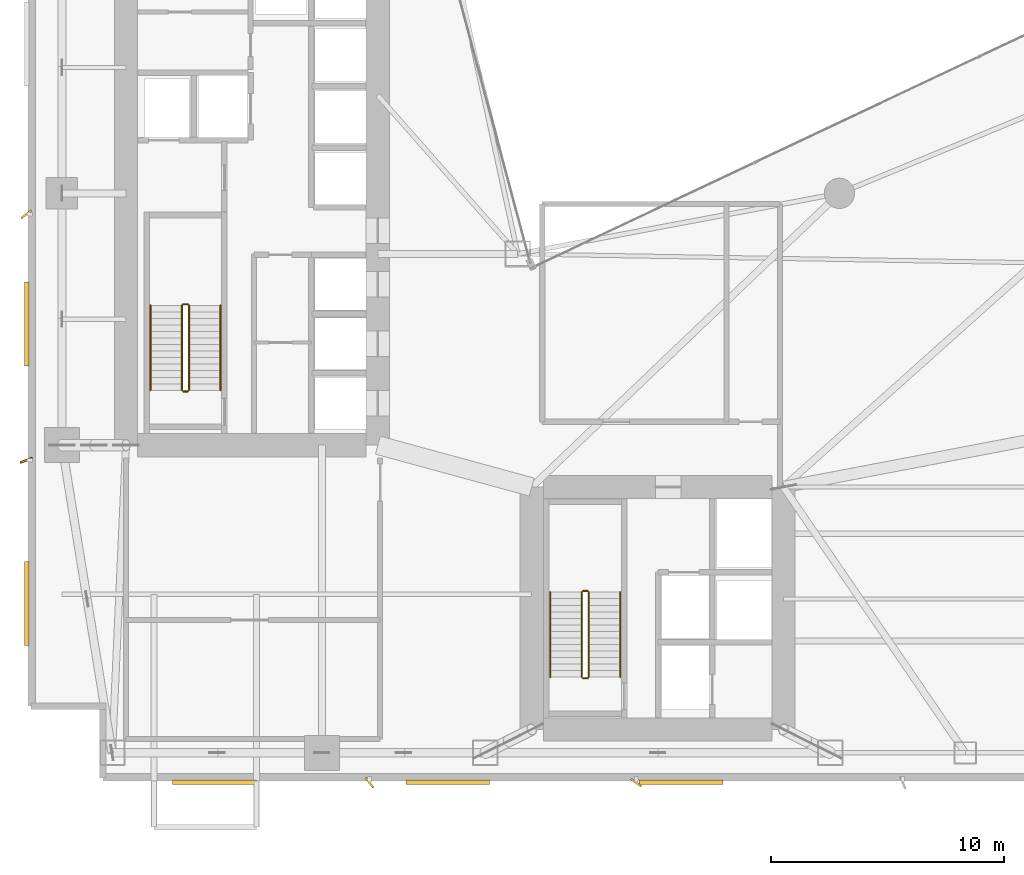
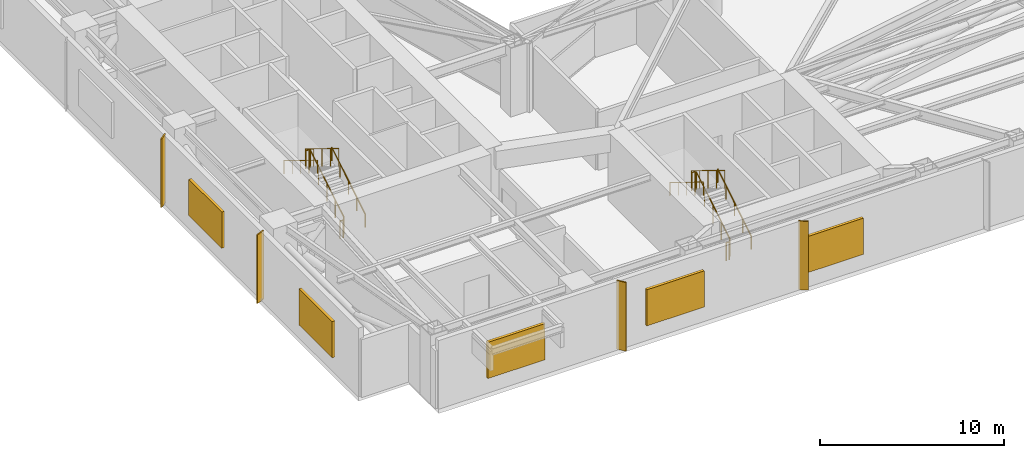
# One storey, part 17 of 18: 12 railings, 9 shading devices.
"""IFC4 building model written with IfcOpenShell, lengths in metres."""

from ifc_helpers import new_model, si_unit, direction, frame, origin, origin_2d, place, context, subcontext, project, spatial, rectangle, circle, extrude, material, type_object, element, save


model = new_model("IFC4")

# Units and contexts
model_context = context("Model", 3, precision=1e-05, world=origin(), true_north=direction((0.0, 1.0)))
body_context = subcontext(model_context, "Body", "Model", "MODEL_VIEW")
ifc_project = project(units=[si_unit("LENGTHUNIT", "METRE"), si_unit("AREAUNIT", "SQUARE_METRE"), si_unit("VOLUMEUNIT", "CUBIC_METRE"), si_unit("PLANEANGLEUNIT", "RADIAN"), si_unit("MASSUNIT", "GRAM", prefix="KILO")], contexts=[model_context])

# Site, building, storey
site_placement = place(None, origin())
site = spatial("IfcSite", under=ifc_project, at=site_placement, CompositionType="ELEMENT")
building_placement = place(site_placement, origin())
building = spatial("IfcBuilding", under=site, at=building_placement, Name="Calvorn Quay Hotel", CompositionType="ELEMENT")
storey_placement = place(building_placement, frame((0.0, 0.0, 46.0)))
storey = spatial("IfcBuildingStorey", under=building, at=storey_placement, Name="L10", CompositionType="ELEMENT", Elevation=46.0)

# Railings
ifc_material_1 = material(Name="Brushed Stainless Steel Handrail", Category="steel")
railing_type_1 = type_object("IfcRailingType", Name="RLG-HANDRAIL-900", PredefinedType="HANDRAIL", material=ifc_material_1)
railing_1_placement = place(storey_placement, frame((8.25, 19.14990234375, 0.17138671875)))
element("IfcRailing", 1, at=railing_1_placement, inside=storey, type_object=railing_type_1, Name="L10 ST-W stair handrail 1", PredefinedType="HANDRAIL", context=body_context, shape_type="SweptSolid", body=[
    extrude(circle(Radius=0.02392578125, at=origin_2d()), frame((0.0, 0.0, 0.8759765625), z_axis=(0.0, 0.852865859571, 0.52213008492), x_axis=(-1.0, 0.0, 0.0)), (0.0, 0.0, 1.0), 4.26806640625),
    extrude(circle(Radius=0.02099609375, at=origin_2d()), origin(), (0.0, 0.0, 1.0), 0.851806640625),
    extrude(circle(Radius=0.02099609375, at=origin_2d()), frame((0.0, 0.91015625, 0.55712890625)), (0.0, 0.0, 1.0), 0.851806640625),
    extrude(circle(Radius=0.02099609375, at=origin_2d()), frame((0.0, 1.820068359375, 1.1142578125)), (0.0, 0.0, 1.0), 0.851806640625),
    extrude(circle(Radius=0.02099609375, at=origin_2d()), frame((0.0, 2.72998046875, 1.67138671875)), (0.0, 0.0, 1.0), 0.851806640625),
    extrude(circle(Radius=0.02099609375, at=origin_2d()), frame((0.0, 3.64013671875, 2.228515625)), (0.0, 0.0, 1.0), 0.851806640625),
])
railing_2_placement = place(storey_placement, frame((5.25, 22.7900390625, 2.571533203125)))
element("IfcRailing", 2, at=railing_2_placement, inside=storey, type_object=railing_type_1, Name="L10 ST-W stair handrail 2", PredefinedType="HANDRAIL", context=body_context, shape_type="SweptSolid", body=[
    extrude(circle(Radius=0.02392578125, at=origin_2d()), frame((0.0, 0.0, 0.8759765625), z_axis=(0.0, -0.852865859571, 0.52213008492), x_axis=(1.0, 0.0, 0.0)), (0.0, 0.0, 1.0), 4.26806640625),
    extrude(circle(Radius=0.02099609375, at=origin_2d()), origin(), (0.0, 0.0, 1.0), 0.851806640625),
    extrude(circle(Radius=0.02099609375, at=origin_2d()), frame((0.0, -0.91015625, 0.55712890625)), (0.0, 0.0, 1.0), 0.851806640625),
    extrude(circle(Radius=0.02099609375, at=origin_2d()), frame((0.0, -1.820068359375, 1.1142578125)), (0.0, 0.0, 1.0), 0.851806640625),
    extrude(circle(Radius=0.02099609375, at=origin_2d()), frame((0.0, -2.72998046875, 1.67138671875)), (0.0, 0.0, 1.0), 0.851806640625),
    extrude(circle(Radius=0.02099609375, at=origin_2d()), frame((0.0, -3.64013671875, 2.228515625)), (0.0, 0.0, 1.0), 0.851806640625),
])
railing_3_placement = place(storey_placement, frame((25.39990234375, 6.85009765625, 0.17138671875)))
element("IfcRailing", 3, at=railing_3_placement, inside=storey, type_object=railing_type_1, Name="L10 ST-E stair handrail 1", PredefinedType="HANDRAIL", context=body_context, shape_type="SweptSolid", body=[
    extrude(circle(Radius=0.02392578125, at=origin_2d()), frame((0.0, 0.0, 0.8759765625), z_axis=(0.0, 0.852850264322, 0.5221555579), x_axis=(-1.0, 0.0, 0.0)), (0.0, 0.0, 1.0), 4.267822265625),
    extrude(circle(Radius=0.02099609375, at=origin_2d()), origin(), (0.0, 0.0, 1.0), 0.851806640625),
    extrude(circle(Radius=0.02099609375, at=origin_2d()), frame((0.0, 0.909912109375, 0.55712890625)), (0.0, 0.0, 1.0), 0.851806640625),
    extrude(circle(Radius=0.02099609375, at=origin_2d()), frame((0.0, 1.81982421875, 1.1142578125)), (0.0, 0.0, 1.0), 0.851806640625),
    extrude(circle(Radius=0.02099609375, at=origin_2d()), frame((0.0, 2.72998046875, 1.67138671875)), (0.0, 0.0, 1.0), 0.851806640625),
    extrude(circle(Radius=0.02099609375, at=origin_2d()), frame((0.0, 3.639892578125, 2.228515625)), (0.0, 0.0, 1.0), 0.851806640625),
])
railing_4_placement = place(storey_placement, frame((22.39990234375, 10.489990234375, 2.571533203125)))
element("IfcRailing", 4, at=railing_4_placement, inside=storey, type_object=railing_type_1, Name="L10 ST-E stair handrail 2", PredefinedType="HANDRAIL", context=body_context, shape_type="SweptSolid", body=[
    extrude(circle(Radius=0.02392578125, at=origin_2d()), frame((0.0, 0.0, 0.8759765625), z_axis=(0.0, -0.852850264322, 0.5221555579), x_axis=(1.0, 0.0, 0.0)), (0.0, 0.0, 1.0), 4.267822265625),
    extrude(circle(Radius=0.02099609375, at=origin_2d()), origin(), (0.0, 0.0, 1.0), 0.851806640625),
    extrude(circle(Radius=0.02099609375, at=origin_2d()), frame((0.0, -0.909912109375, 0.55712890625)), (0.0, 0.0, 1.0), 0.851806640625),
    extrude(circle(Radius=0.02099609375, at=origin_2d()), frame((0.0, -1.81982421875, 1.1142578125)), (0.0, 0.0, 1.0), 0.851806640625),
    extrude(circle(Radius=0.02099609375, at=origin_2d()), frame((0.0, -2.72998046875, 1.67138671875)), (0.0, 0.0, 1.0), 0.851806640625),
    extrude(circle(Radius=0.02099609375, at=origin_2d()), frame((0.0, -3.639892578125, 2.228515625)), (0.0, 0.0, 1.0), 0.851806640625),
])
ifc_material_2 = material(Name="Painted Galvanised Steel Balustrade", Category="steel")
railing_type_2 = type_object("IfcRailingType", Name="RLG-STAIR-GUARD-1120", PredefinedType="GUARDRAIL", material=ifc_material_2)
railing_5_placement = place(storey_placement, frame((6.89990234375, 19.14990234375, 0.17138671875)))
element("IfcRailing", 5, at=railing_5_placement, inside=storey, type_object=railing_type_2, Name="L10 ST-W stair guard 1", PredefinedType="GUARDRAIL", context=body_context, shape_type="SweptSolid", body=[
    extrude(circle(Radius=0.02392578125, at=origin_2d()), frame((0.0, 0.0, 1.17578125), z_axis=(0.0, 0.852865859571, 0.52213008492), x_axis=(-1.0, 0.0, 0.0)), (0.0, 0.0, 1.0), 4.26806640625),
    extrude(circle(Radius=0.02099609375, at=origin_2d()), origin(), (0.0, 0.0, 1.0), 1.15185546875),
    extrude(circle(Radius=0.02099609375, at=origin_2d()), frame((0.0, 0.91015625, 0.55712890625)), (0.0, 0.0, 1.0), 1.15185546875),
    extrude(circle(Radius=0.02099609375, at=origin_2d()), frame((0.0, 1.820068359375, 1.1142578125)), (0.0, 0.0, 1.0), 1.15185546875),
    extrude(circle(Radius=0.02099609375, at=origin_2d()), frame((0.0, 2.72998046875, 1.67138671875)), (0.0, 0.0, 1.0), 1.15185546875),
    extrude(circle(Radius=0.02099609375, at=origin_2d()), frame((0.0, 3.64013671875, 2.228515625)), (0.0, 0.0, 1.0), 1.15185546875),
])
railing_6_placement = place(storey_placement, frame((6.85009765625, 22.840087890625, 2.39990234375)))
element("IfcRailing", 6, at=railing_6_placement, inside=storey, type_object=railing_type_2, Name="L10 ST-W stair guard 2", PredefinedType="GUARDRAIL", context=body_context, shape_type="SweptSolid", body=[
    extrude(circle(Radius=0.02392578125, at=origin_2d()), frame((0.0, 0.0, 1.17578125), z_axis=(-1.0, 0.0, 0.0), x_axis=(0.0, -1.0, 0.0)), (0.0, 0.0, 1.0), 0.2001953125),
    extrude(circle(Radius=0.02099609375, at=origin_2d()), origin(), (0.0, 0.0, 1.0), 1.15185546875),
    extrude(circle(Radius=0.02099609375, at=origin_2d()), frame((-0.2001953125, 0.0, 0.0)), (0.0, 0.0, 1.0), 1.15185546875),
])
railing_7_placement = place(storey_placement, frame((6.60009765625, 22.7900390625, 2.571533203125)))
element("IfcRailing", 7, at=railing_7_placement, inside=storey, type_object=railing_type_2, Name="L10 ST-W stair guard 3", PredefinedType="GUARDRAIL", context=body_context, shape_type="SweptSolid", body=[
    extrude(circle(Radius=0.02392578125, at=origin_2d()), frame((0.0, 0.0, 1.17578125), z_axis=(0.0, -0.852865859571, 0.52213008492), x_axis=(1.0, 0.0, 0.0)), (0.0, 0.0, 1.0), 4.26806640625),
    extrude(circle(Radius=0.02099609375, at=origin_2d()), origin(), (0.0, 0.0, 1.0), 1.15185546875),
    extrude(circle(Radius=0.02099609375, at=origin_2d()), frame((0.0, -0.91015625, 0.55712890625)), (0.0, 0.0, 1.0), 1.15185546875),
    extrude(circle(Radius=0.02099609375, at=origin_2d()), frame((0.0, -1.820068359375, 1.1142578125)), (0.0, 0.0, 1.0), 1.15185546875),
    extrude(circle(Radius=0.02099609375, at=origin_2d()), frame((0.0, -2.72998046875, 1.67138671875)), (0.0, 0.0, 1.0), 1.15185546875),
    extrude(circle(Radius=0.02099609375, at=origin_2d()), frame((0.0, -3.64013671875, 2.228515625)), (0.0, 0.0, 1.0), 1.15185546875),
])
railing_8_placement = place(storey_placement, frame((6.85009765625, 19.10009765625, 0.0)))
element("IfcRailing", 8, at=railing_8_placement, inside=storey, type_object=railing_type_2, Name="L10 ST-W stair guard 4", PredefinedType="GUARDRAIL", context=body_context, shape_type="SweptSolid", body=[
    extrude(circle(Radius=0.02392578125, at=origin_2d()), frame((0.0, 0.0, 1.17578125), z_axis=(-1.0, 0.0, 0.0), x_axis=(0.0, -1.0, 0.0)), (0.0, 0.0, 1.0), 0.2001953125),
    extrude(circle(Radius=0.02099609375, at=origin_2d()), origin(), (0.0, 0.0, 1.0), 1.15185546875),
    extrude(circle(Radius=0.02099609375, at=origin_2d()), frame((-0.2001953125, 0.0, 0.0)), (0.0, 0.0, 1.0), 1.15185546875),
])
railing_9_placement = place(storey_placement, frame((24.050048828125, 6.85009765625, 0.17138671875)))
element("IfcRailing", 9, at=railing_9_placement, inside=storey, type_object=railing_type_2, Name="L10 ST-E stair guard 1", PredefinedType="GUARDRAIL", context=body_context, shape_type="SweptSolid", body=[
    extrude(circle(Radius=0.02392578125, at=origin_2d()), frame((0.0, 0.0, 1.17578125), z_axis=(0.0, 0.852850264322, 0.5221555579), x_axis=(-1.0, 0.0, 0.0)), (0.0, 0.0, 1.0), 4.267822265625),
    extrude(circle(Radius=0.02099609375, at=origin_2d()), origin(), (0.0, 0.0, 1.0), 1.15185546875),
    extrude(circle(Radius=0.02099609375, at=origin_2d()), frame((0.0, 0.909912109375, 0.55712890625)), (0.0, 0.0, 1.0), 1.15185546875),
    extrude(circle(Radius=0.02099609375, at=origin_2d()), frame((0.0, 1.81982421875, 1.1142578125)), (0.0, 0.0, 1.0), 1.15185546875),
    extrude(circle(Radius=0.02099609375, at=origin_2d()), frame((0.0, 2.72998046875, 1.67138671875)), (0.0, 0.0, 1.0), 1.15185546875),
    extrude(circle(Radius=0.02099609375, at=origin_2d()), frame((0.0, 3.639892578125, 2.228515625)), (0.0, 0.0, 1.0), 1.15185546875),
])
railing_10_placement = place(storey_placement, frame((24.0, 10.5400390625, 2.39990234375)))
element("IfcRailing", 10, at=railing_10_placement, inside=storey, type_object=railing_type_2, Name="L10 ST-E stair guard 2", PredefinedType="GUARDRAIL", context=body_context, shape_type="SweptSolid", body=[
    extrude(circle(Radius=0.02392578125, at=origin_2d()), frame((0.0, 0.0, 1.17578125), z_axis=(-1.0, 0.0, 0.0), x_axis=(0.0, -1.0, 0.0)), (0.0, 0.0, 1.0), 0.199951171875),
    extrude(circle(Radius=0.02099609375, at=origin_2d()), origin(), (0.0, 0.0, 1.0), 1.15185546875),
    extrude(circle(Radius=0.02099609375, at=origin_2d()), frame((-0.199951171875, 0.0, 0.0)), (0.0, 0.0, 1.0), 1.15185546875),
])
railing_11_placement = place(storey_placement, frame((23.75, 10.489990234375, 2.571533203125)))
element("IfcRailing", 11, at=railing_11_placement, inside=storey, type_object=railing_type_2, Name="L10 ST-E stair guard 3", PredefinedType="GUARDRAIL", context=body_context, shape_type="SweptSolid", body=[
    extrude(circle(Radius=0.02392578125, at=origin_2d()), frame((0.0, 0.0, 1.17578125), z_axis=(0.0, -0.852850264322, 0.5221555579), x_axis=(1.0, 0.0, 0.0)), (0.0, 0.0, 1.0), 4.267822265625),
    extrude(circle(Radius=0.02099609375, at=origin_2d()), origin(), (0.0, 0.0, 1.0), 1.15185546875),
    extrude(circle(Radius=0.02099609375, at=origin_2d()), frame((0.0, -0.909912109375, 0.55712890625)), (0.0, 0.0, 1.0), 1.15185546875),
    extrude(circle(Radius=0.02099609375, at=origin_2d()), frame((0.0, -1.81982421875, 1.1142578125)), (0.0, 0.0, 1.0), 1.15185546875),
    extrude(circle(Radius=0.02099609375, at=origin_2d()), frame((0.0, -2.72998046875, 1.67138671875)), (0.0, 0.0, 1.0), 1.15185546875),
    extrude(circle(Radius=0.02099609375, at=origin_2d()), frame((0.0, -3.639892578125, 2.228515625)), (0.0, 0.0, 1.0), 1.15185546875),
])
railing_12_placement = place(storey_placement, frame((24.0, 6.800048828125, 0.0)))
element("IfcRailing", 12, at=railing_12_placement, inside=storey, type_object=railing_type_2, Name="L10 ST-E stair guard 4", PredefinedType="GUARDRAIL", context=body_context, shape_type="SweptSolid", body=[
    extrude(circle(Radius=0.02392578125, at=origin_2d()), frame((0.0, 0.0, 1.17578125), z_axis=(-1.0, 0.0, 0.0), x_axis=(0.0, -1.0, 0.0)), (0.0, 0.0, 1.0), 0.199951171875),
    extrude(circle(Radius=0.02099609375, at=origin_2d()), origin(), (0.0, 0.0, 1.0), 1.15185546875),
    extrude(circle(Radius=0.02099609375, at=origin_2d()), frame((-0.199951171875, 0.0, 0.0)), (0.0, 0.0, 1.0), 1.15185546875),
])

# Shading devices
ifc_material_3 = material(Name="Champagne Bronze Anodised Aluminium 6063-T6", Category="aluminium")
shading_device_type_1 = type_object("IfcShadingDeviceType", Name="SHD-FIN-A1", PredefinedType="USERDEFINED", material=ifc_material_3)
shading_device_1_placement = place(storey_placement, frame((-0.080078125, 16.14990234375, 0.0), z_axis=(0.0, 0.0, 1.0), x_axis=(0.927183854567, 0.374606593416, 0.0)))
element("IfcShadingDevice", 13, at=shading_device_1_placement, inside=storey, type_object=shading_device_type_1, Name="Diagonal Sun-Shading Fin L10-W01", ObjectType="FIN", PredefinedType="USERDEFINED", context=body_context, shape_type="SweptSolid", body=[
    extrude(rectangle(XDim=0.550048828125, YDim=0.080078125, at=origin_2d()), origin(), (0.0, 0.0, 1.0), 4.56005859375),
])
ifc_material_4 = material(Name="Champagne Bronze Anodised Aluminium 6063-T6", Category="aluminium")
shading_device_type_2 = type_object("IfcShadingDeviceType", Name="SHD-FIN-A2", PredefinedType="USERDEFINED", material=ifc_material_4)
for number, where, z_axis, x_axis, name in (
    (14, (-0.080078125, 26.699951171875, 0.0), (0.0, 0.0, 1.0), (0.788010753607, 0.615661475326, 0.0), "Diagonal Sun-Shading Fin L10-W02"),
    (15, (14.639892578125, 2.320068359375, 0.0), (0.0, 0.0, 1.0), (-0.615661475326, 0.788010753607, 0.0), "Diagonal Sun-Shading Fin L10-S01"),
):
    element("IfcShadingDevice", number, at=place(storey_placement, frame(where, z_axis=z_axis, x_axis=x_axis)), inside=storey, type_object=shading_device_type_2, Name=name, ObjectType="FIN", PredefinedType="USERDEFINED", context=body_context, shape_type="SweptSolid", body=[
        extrude(rectangle(XDim=0.550048828125, YDim=0.080078125, at=origin_2d()), origin(), (0.0, 0.0, 1.0), 4.56005859375),
    ])
ifc_material_5 = material(Name="Champagne Bronze Anodised Aluminium 6063-T6", Category="aluminium")
shading_device_type_3 = type_object("IfcShadingDeviceType", Name="SHD-FIN-A3", PredefinedType="USERDEFINED", material=ifc_material_5)
shading_device_2_placement = place(storey_placement, frame((26.080078125, 2.320068359375, 0.0), z_axis=(0.0, 0.0, 1.0), x_axis=(-0.809016994375, 0.587785252292, 0.0)))
element("IfcShadingDevice", 16, at=shading_device_2_placement, inside=storey, type_object=shading_device_type_3, Name="Diagonal Sun-Shading Fin L10-S02", ObjectType="FIN", PredefinedType="USERDEFINED", context=body_context, shape_type="SweptSolid", body=[
    extrude(rectangle(XDim=0.550048828125, YDim=0.080078125, at=origin_2d()), origin(), (0.0, 0.0, 1.0), 4.56005859375),
])
ifc_material_6 = material(Name="Anodised Aluminium 6063-T6", Category="aluminium")
shading_device_type_4 = type_object("IfcShadingDeviceType", Name="SHD-MECH-LOUVRE", PredefinedType="USERDEFINED", material=ifc_material_6)
for number, where, z_axis, x_axis, name in (
    (17, (-0.06005859375, 10.0, 1.080078125), (0.0, 0.0, 1.0), (1.0, 0.0, 0.0), "Refuge Stormproof Intake Louvre L10-W1"),
    (18, (-0.06005859375, 22.0, 1.080078125), (0.0, 0.0, 1.0), (1.0, 0.0, 0.0), "Refuge Stormproof Intake Louvre L10-W2"),
):
    element("IfcShadingDevice", number, at=place(storey_placement, frame(where, z_axis=z_axis, x_axis=x_axis)), inside=storey, type_object=shading_device_type_4, Name=name, ObjectType="LOUVRE", PredefinedType="USERDEFINED", context=body_context, shape_type="SweptSolid", body=[
        extrude(rectangle(XDim=0.179931640625, YDim=3.60009765625, at=origin_2d()), origin(), (0.0, 0.0, 1.0), 2.39990234375),
    ])
for number, where, z_axis, x_axis, name in (
    (19, (8.0, 2.340087890625, 1.080078125), (0.0, 0.0, 1.0), (1.0, 0.0, 0.0), "Refuge Exhaust Louvre L10-S1"),
    (20, (18.0, 2.340087890625, 1.080078125), (0.0, 0.0, 1.0), (1.0, 0.0, 0.0), "Refuge Exhaust Louvre L10-S2"),
    (21, (28.0, 2.340087890625, 1.080078125), (0.0, 0.0, 1.0), (1.0, 0.0, 0.0), "Refuge Exhaust Louvre L10-S3"),
):
    element("IfcShadingDevice", number, at=place(storey_placement, frame(where, z_axis=z_axis, x_axis=x_axis)), inside=storey, type_object=shading_device_type_4, Name=name, ObjectType="LOUVRE", PredefinedType="USERDEFINED", context=body_context, shape_type="SweptSolid", body=[
        extrude(rectangle(XDim=3.60009765625, YDim=0.179931640625, at=origin_2d()), origin(), (0.0, 0.0, 1.0), 2.39990234375),
    ])

save(model, "model.ifc")
